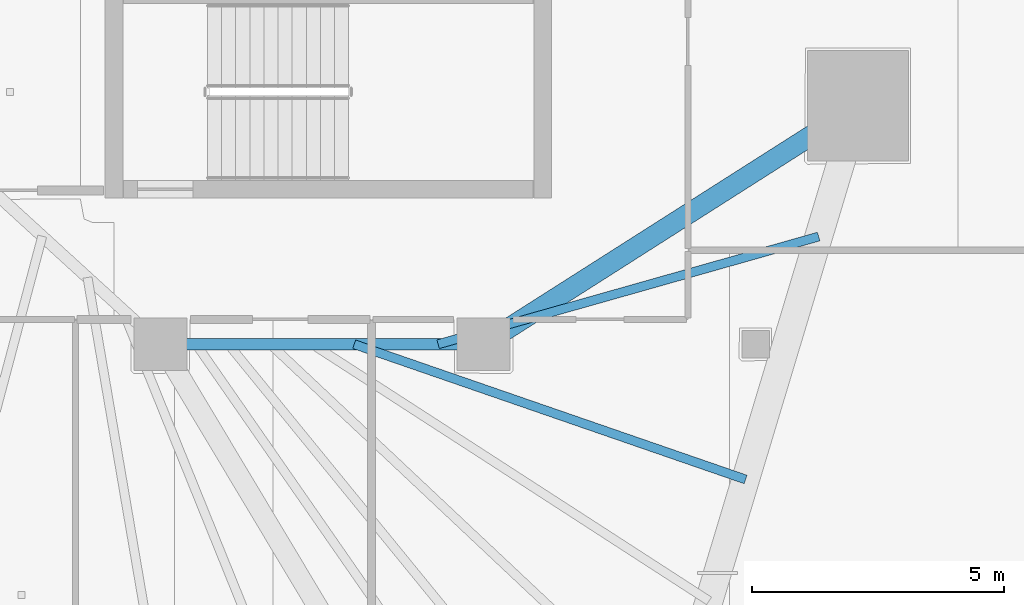
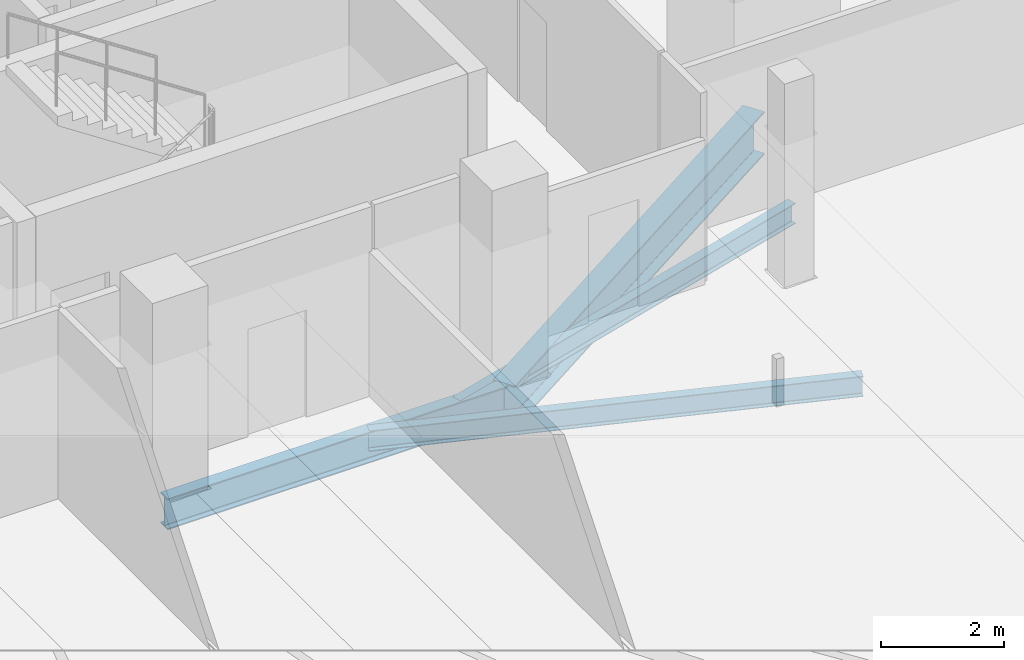
# One storey, part 11 of 39: 4 beams.
"""IFC4 building model written with IfcOpenShell, lengths in metres."""

import ifcopenshell
import ifcopenshell.guid

model = None  # the IFC model being written
_history = None  # IfcOwnerHistory: only IFC2X3 demands one
_inside = {}  # id of a spatial element -> (the spatial element, [elements in it])
_under = {}  # id of a project, library or spatial element -> (it, [spatial elements below it])
_declared = {}  # id of a project -> (the project, [libraries it declares])
_typed = {}  # id of a type object -> (the type object, [elements of that type])
_made_of = {}  # id of a material, layer set ... -> (it, [elements and type objects made of it])


def new_model(schema):
    """Start an empty IFC model of exactly this schema.

    Asked for "IFC4X3", IfcOpenShell would pick the latest addendum, in which some entities
    have other attributes; the version numbers below select the first issue.
    IFC2X3 requires an IfcOwnerHistory on every rooted entity: one is made here for all.
    """
    global model, _history
    if schema == "IFC4X3":
        model = ifcopenshell.file(schema_version=(4, 3, 0, 0))
    else:
        model = ifcopenshell.file(schema=schema)
    _inside.clear()
    _under.clear()
    _declared.clear()
    _typed.clear()
    _made_of.clear()
    _history = None
    if model.schema == "IFC2X3":
        org = make("IfcOrganization", Name="unknown")
        user = make(
            "IfcPersonAndOrganization",
            ThePerson=make("IfcPerson", FamilyName="unknown"),
            TheOrganization=org,
        )
        app = make(
            "IfcApplication",
            ApplicationDeveloper=org,
            Version="unknown",
            ApplicationFullName="unknown",
            ApplicationIdentifier="unknown",
        )
        _history = make(
            "IfcOwnerHistory",
            OwningUser=user,
            OwningApplication=app,
            ChangeAction="ADDED",
            CreationDate=0,
        )
    return model


def make(cls, **values):
    """One entity of the class cls with the attributes given. An attribute that is None is left unset."""
    return model.create_entity(
        cls, **{name: value for name, value in values.items() if value is not None}
    )


def rooted(cls, **values):
    """An entity with a GlobalId (a new one), such as an element, a storey or a relation."""
    return make(cls, GlobalId=ifcopenshell.guid.new(), OwnerHistory=_history, **values)


def si_unit(unit_type, name, prefix=None):
    """IfcSIUnit, for example si_unit("LENGTHUNIT", "METRE", prefix="MILLI")."""
    return make("IfcSIUnit", UnitType=unit_type, Prefix=prefix, Name=name)


def assignment(units):
    """IfcUnitAssignment: the units of a project."""
    return None if units is None else make("IfcUnitAssignment", Units=units)


def point(xyz):
    """IfcCartesianPoint."""
    return None if xyz is None else make("IfcCartesianPoint", Coordinates=xyz)


def direction(xyz):
    """IfcDirection."""
    return None if xyz is None else make("IfcDirection", DirectionRatios=xyz)


def frame(location, z_axis=None, x_axis=None):
    """IfcAxis2Placement3D, a coordinate frame: its origin and axes. An axis left out is left unset."""
    return make(
        "IfcAxis2Placement3D",
        Location=point(location),
        Axis=direction(z_axis),
        RefDirection=direction(x_axis),
    )


def frame_2d(location, x_axis=None):
    """IfcAxis2Placement2D, a coordinate frame in the plane: its origin and x axis."""
    return make(
        "IfcAxis2Placement2D", Location=point(location), RefDirection=direction(x_axis)
    )


def origin():
    """The frame at (0, 0, 0) with its axes left unset."""
    return frame((0.0, 0.0, 0.0))


def origin_2d():
    """The frame at (0, 0) in the plane with its x axis left unset."""
    return frame_2d((0.0, 0.0))


def place(relative_to, where):
    """IfcLocalPlacement: puts the frame where relative to a parent placement (None: the world)."""
    return make(
        "IfcLocalPlacement", PlacementRelTo=relative_to, RelativePlacement=where
    )


def context(
    kind, dimensions, precision=None, world=None, true_north=None, identifier=None
):
    """IfcGeometricRepresentationContext, for example the 3D "Model" context."""
    return make(
        "IfcGeometricRepresentationContext",
        ContextIdentifier=identifier,
        ContextType=kind,
        CoordinateSpaceDimension=dimensions,
        Precision=precision,
        WorldCoordinateSystem=world,
        TrueNorth=true_north,
    )


def subcontext(parent, identifier, kind, view, scale=None):
    """IfcGeometricRepresentationSubContext, for example "Body" below "Model"."""
    return make(
        "IfcGeometricRepresentationSubContext",
        ContextIdentifier=identifier,
        ContextType=kind,
        ParentContext=parent,
        TargetScale=scale,
        TargetView=view,
    )


def project(units=None, contexts=None):
    """IfcProject with its units and contexts."""
    return rooted(
        "IfcProject",
        Name="project",
        RepresentationContexts=contexts,
        UnitsInContext=assignment(units),
    )


def spatial(cls, under=None, at=None, **own):
    """A site, building, storey or space (cls), placed at a placement, below another one or the project."""
    s = rooted(cls, ObjectPlacement=at, **own)
    if under is not None:
        _under.setdefault(under.id(), (under, []))[1].append(s)
    return s


def profile(cls, at=None, kind="AREA", **sizes):
    """A parametric profile (cls). Its sizes go by their IFC names, for example OverallWidth=200.0."""
    return make(cls, ProfileType=kind, Position=at, **sizes)


def i_section(**sizes):
    """IfcIShapeProfileDef."""
    return profile("IfcIShapeProfileDef", **sizes)


def extrude(swept, where, along, depth):
    """IfcExtrudedAreaSolid: the profile swept, set in the frame where, extruded along a direction by depth."""
    return make(
        "IfcExtrudedAreaSolid",
        SweptArea=swept,
        Position=where,
        ExtrudedDirection=direction(along),
        Depth=depth,
    )


def shape(context_of_items, identifier, shape_type, items):
    """IfcShapeRepresentation: the items that make up one representation, for example the "Body"."""
    return make(
        "IfcShapeRepresentation",
        ContextOfItems=context_of_items,
        RepresentationIdentifier=identifier,
        RepresentationType=shape_type,
        Items=items,
    )


def material(Name=None, Category=None):
    """IfcMaterial."""
    return make("IfcMaterial", Name=Name, Category=Category)


def material_profile(
    of_material, cross_section, Name=None, Category=None, Priority=None
):
    """IfcMaterialProfile: a cross section and its material."""
    return make(
        "IfcMaterialProfile",
        Name=Name,
        Material=of_material,
        Profile=cross_section,
        Priority=Priority,
        Category=Category,
    )


def profile_set(profiles, Name=None, composite=None):
    """IfcMaterialProfileSet."""
    return make(
        "IfcMaterialProfileSet",
        Name=Name,
        MaterialProfiles=profiles,
        CompositeProfile=composite,
    )


def made_of(thing, what):
    """Note that an element or type object is made of a material, layer set ...; save() writes the relation."""
    if what is not None:
        _made_of.setdefault(what.id(), (what, []))[1].append(thing)
    return thing


def type_object(cls, material=None, **own):
    """A type object (cls), such as IfcWallType, which elements share."""
    return made_of(rooted(cls, **own), material)


def element(
    cls,
    number,
    at=None,
    inside=None,
    cuts=None,
    type_object=None,
    material=None,
    context=None,
    identifier="Body",
    shape_type=None,
    held_by="IfcProductDefinitionShape",
    body=None,
    shapes=None,
    **own,
):
    """One element of the class cls, such as IfcWall. Its Tag is "e" and its number.

    at: its placement. inside: the storey or other place that contains it. cuts: it is an
    opening in that element (IfcRelVoidsElement). A single representation is given by context,
    identifier, shape_type and body (its items); several are given by shapes. held_by: the class
    of the entity that holds the representations. save() writes the other relations.
    """
    e = rooted(cls, Tag="e%d" % number, ObjectPlacement=at, **own)
    if body is not None:
        shapes = [shape(context, identifier, shape_type, body)]
    if shapes is not None:
        e.Representation = make(held_by, Representations=shapes)
    if inside is not None:
        _inside.setdefault(inside.id(), (inside, []))[1].append(e)
    if cuts is not None:
        rooted(
            "IfcRelVoidsElement", RelatingBuildingElement=cuts, RelatedOpeningElement=e
        )
    if type_object is not None:
        _typed.setdefault(type_object.id(), (type_object, []))[1].append(e)
    return made_of(e, material)


def aggregate(whole, parts):
    """IfcRelAggregates: a whole, such as a stair, and the parts it consists of."""
    return rooted("IfcRelAggregates", RelatingObject=whole, RelatedObjects=parts)


def save(model, path):
    """Write the relations noted so far, then the file.

    IfcRelAggregates (storeys below a building ...), IfcRelContainedInSpatialStructure (elements
    in a storey), IfcRelDefinesByType, IfcRelAssociatesMaterial and IfcRelDeclares: one each for
    every whole, place, type object, material and project.
    """
    for whole, parts in _under.values():
        aggregate(whole, parts)
    for where, things in _inside.values():
        rooted(
            "IfcRelContainedInSpatialStructure",
            RelatedElements=things,
            RelatingStructure=where,
        )
    for kind, things in _typed.values():
        rooted("IfcRelDefinesByType", RelatedObjects=things, RelatingType=kind)
    for what, things in _made_of.values():
        rooted("IfcRelAssociatesMaterial", RelatedObjects=things, RelatingMaterial=what)
    for by, libraries in _declared.values():
        rooted("IfcRelDeclares", RelatingContext=by, RelatedDefinitions=libraries)
    model.write(path)


model = new_model("IFC4")

# Units and contexts
model_context = context("Model", 3, precision=1e-05, world=origin(), true_north=direction((0.0, 1.0)))
body_context = subcontext(model_context, "Body", "Model", "MODEL_VIEW")
ifc_project = project(units=[si_unit("LENGTHUNIT", "METRE"), si_unit("AREAUNIT", "SQUARE_METRE"), si_unit("VOLUMEUNIT", "CUBIC_METRE"), si_unit("PLANEANGLEUNIT", "RADIAN"), si_unit("MASSUNIT", "GRAM", prefix="KILO")], contexts=[model_context])

# Site, building, storey
site_placement = place(None, origin())
site = spatial("IfcSite", under=ifc_project, at=site_placement, CompositionType="ELEMENT")
building_placement = place(site_placement, origin())
building = spatial("IfcBuilding", under=site, at=building_placement, Name="Qorvath Tower", CompositionType="ELEMENT")
storey_placement = place(building_placement, frame((0.0, 0.0, 162.449951171875)))
storey = spatial("IfcBuildingStorey", under=building, at=storey_placement, Name="L37", CompositionType="ELEMENT", Elevation=162.449951171875)

# Beams
ifc_material_1 = material(Name="Steel ASTM A992 Grade 50", Category="steel")
ifc_material_profile_1 = material_profile(ifc_material_1, i_section(OverallWidth=0.39892578125, OverallDepth=0.85498046875, WebThickness=0.018310546875, FlangeThickness=0.029296875, FilletRadius=0.02001953125, at=origin_2d()), Name="W33x201")
ifc_profile_set_1 = profile_set([ifc_material_profile_1], Name="Steel ASTM A992 Grade 50")
beam_type_1 = type_object("IfcBeamType", Name="BM-FG2", PredefinedType="BEAM", material=ifc_profile_set_1)
beam_1_placement = place(storey_placement, frame((-17.199951171875, -11.449951171875, -0.697509765625), z_axis=(0.843634090834, 0.536918542037, 0.0), x_axis=(-0.536918542037, 0.843634090834, 0.0)))
element("IfcBeam", 1, at=beam_1_placement, inside=storey, type_object=beam_type_1, Name="Radial Floor Girder CC3-MC4 L37", PredefinedType="BEAM", context=body_context, shape_type="SweptSolid", body=[
    extrude(i_section(OverallWidth=0.39892578125, OverallDepth=0.85498046875, WebThickness=0.018310546875, FlangeThickness=0.029296875, FilletRadius=0.02001953125, at=origin_2d()), origin(), (0.0, 0.0, 1.0), 8.806884765625),
])
ifc_material_2 = material(Name="Steel ASTM A992 Grade 50", Category="steel")
ifc_material_profile_2 = material_profile(ifc_material_2, i_section(OverallWidth=0.22998046875, OverallDepth=0.616943359375, WebThickness=0.01318359375, FlangeThickness=0.022216796875, FilletRadius=0.014892578125, at=origin_2d()), Name="W24x94")
ifc_profile_set_2 = profile_set([ifc_material_profile_2], Name="Steel ASTM A992 Grade 50")
beam_type_2 = type_object("IfcBeamType", Name="BM-FG6", PredefinedType="BEAM", material=ifc_profile_set_2)
beam_2_placement = place(storey_placement, frame((-17.199951171875, -11.449951171875, -0.57861328125), z_axis=(-1.0, 0.0, 0.0), x_axis=(0.0, -1.0, 0.0)))
element("IfcBeam", 2, at=beam_2_placement, inside=storey, type_object=beam_type_2, Name="Core Ring Girder CC3-CC4 L37", PredefinedType="BEAM", context=body_context, shape_type="SweptSolid", body=[
    extrude(i_section(OverallWidth=0.22998046875, OverallDepth=0.616943359375, WebThickness=0.01318359375, FlangeThickness=0.022216796875, FilletRadius=0.014892578125, at=origin_2d()), origin(), (0.0, 0.0, 1.0), 6.400146484375),
])
ifc_material_3 = material(Name="Steel ASTM A992 Grade 50", Category="steel")
ifc_material_profile_3 = material_profile(ifc_material_3, i_section(OverallWidth=0.177978515625, OverallDepth=0.406005859375, WebThickness=0.0078125, FlangeThickness=0.0126953125, FilletRadius=0.010986328125, at=origin_2d()), Name="W16x40")
ifc_profile_set_3 = profile_set([ifc_material_profile_3], Name="Steel ASTM A992 Grade 50")
beam_type_3 = type_object("IfcBeamType", Name="BM-FJ3", PredefinedType="JOIST", material=ifc_profile_set_3)
beam_3_placement = place(storey_placement, frame((-18.095947265625, -11.449951171875, -0.47314453125), z_axis=(0.962222206221, 0.272265359264, 0.0), x_axis=(-0.272265359264, 0.962222206221, 0.0)))
element("IfcBeam", 3, at=beam_3_placement, inside=storey, type_object=beam_type_3, Name="Composite Floor Joist SE1 L37", PredefinedType="JOIST", context=body_context, shape_type="SweptSolid", body=[
    extrude(i_section(OverallWidth=0.177978515625, OverallDepth=0.406005859375, WebThickness=0.0078125, FlangeThickness=0.0126953125, FilletRadius=0.010986328125, at=origin_2d()), origin(), (0.0, 0.0, 1.0), 7.841552734375),
])
beam_4_placement = place(storey_placement, frame((-19.760009765625, -11.449951171875, -0.47314453125), z_axis=(0.945168345309, -0.326583525342, 0.0), x_axis=(0.326583525342, 0.945168345309, 0.0)))
element("IfcBeam", 4, at=beam_4_placement, inside=storey, type_object=beam_type_3, Name="Composite Floor Joist SE3 L37", PredefinedType="JOIST", context=body_context, shape_type="SweptSolid", body=[
    extrude(i_section(OverallWidth=0.177978515625, OverallDepth=0.406005859375, WebThickness=0.0078125, FlangeThickness=0.0126953125, FilletRadius=0.010986328125, at=origin_2d()), origin(), (0.0, 0.0, 1.0), 8.21044921875),
])

save(model, "model.ifc")
